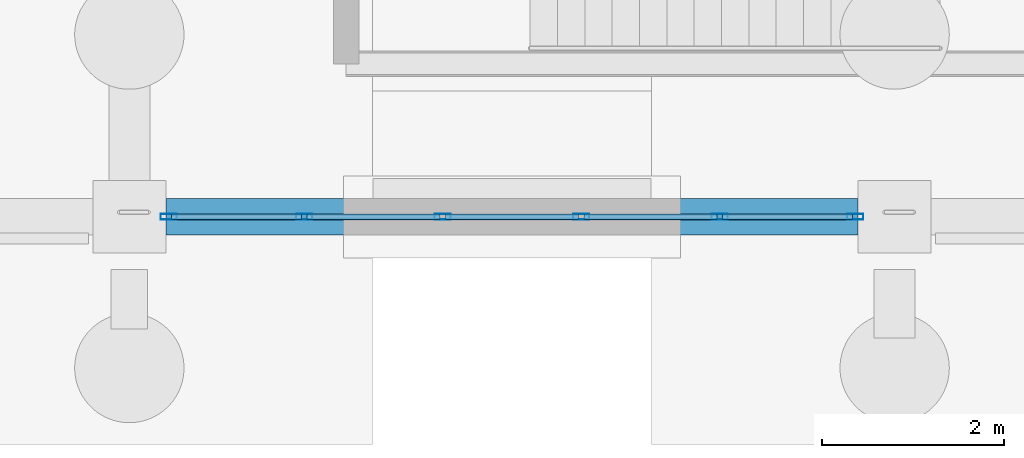
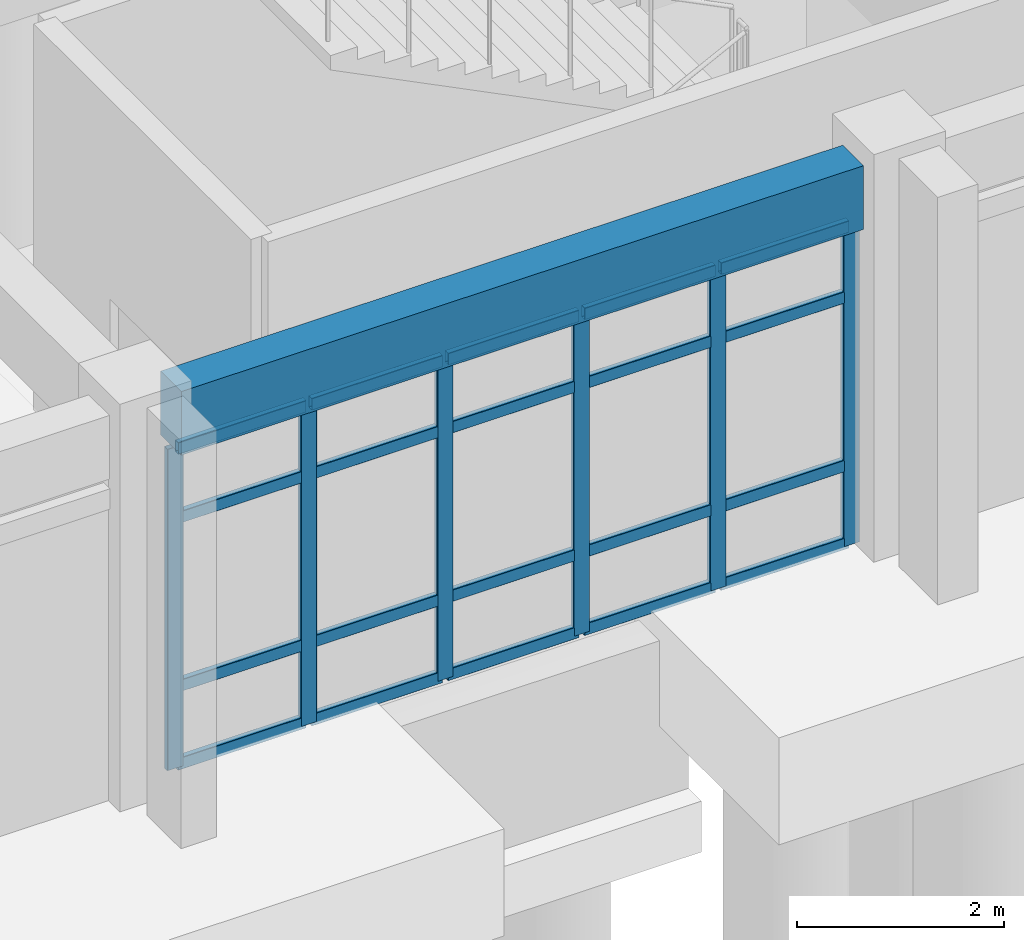
# One storey, part 34 of 111: 26 members, 1 beam, 1 element without a shape of its own.
"""IFC4 building model written with IfcOpenShell, lengths in metres."""

from ifc_helpers import new_model, si_unit, direction, frame, origin, origin_2d, place, context, subcontext, project, spatial, rectangle, hollow_rectangle, extrude, material, material_profile, profile_set, type_object, element, aggregate, save


model = new_model("IFC4")

# Units and contexts
model_context = context("Model", 3, precision=1e-05, world=origin(), true_north=direction((0.0, 1.0)))
body_context = subcontext(model_context, "Body", "Model", "MODEL_VIEW")
ifc_project = project(units=[si_unit("LENGTHUNIT", "METRE"), si_unit("AREAUNIT", "SQUARE_METRE"), si_unit("VOLUMEUNIT", "CUBIC_METRE"), si_unit("PLANEANGLEUNIT", "RADIAN"), si_unit("MASSUNIT", "GRAM", prefix="KILO")], contexts=[model_context])

# Site, building, storey
site_placement = place(None, origin())
site = spatial("IfcSite", under=ifc_project, at=site_placement, CompositionType="ELEMENT")
building_placement = place(site_placement, origin())
building = spatial("IfcBuilding", under=site, at=building_placement, Name="Canglan Escarpment Cableway Terminal", CompositionType="ELEMENT")
storey_placement = place(building_placement, frame((0.0, 0.0, 4.800048828125)))
storey = spatial("IfcBuildingStorey", under=building, at=storey_placement, Name="L01", CompositionType="ELEMENT", Elevation=4.800048828125)

# Curtain wall, members
ifc_material_1 = material(Name="Anodized bronze aluminium and Low-E double glazing", Category="aluminium")
curtain_wall_type = type_object("IfcCurtainWallType", Name="CW-BAY-7600x3775", PredefinedType="NOTDEFINED", material=ifc_material_1)
curtain_wall_placement = place(storey_placement, origin())
curtain_wall = element("IfcCurtainWall", 1, at=curtain_wall_placement, inside=storey, type_object=curtain_wall_type, Name="Classical bay-between-piers glazed curtain wall CW-09", PredefinedType="NOTDEFINED")
ifc_material_2 = material(Name="Thermally broken anodized aluminium 6063-T6", Category="aluminium")
ifc_material_profile_1 = material_profile(ifc_material_2, hollow_rectangle(XDim=0.06494140625, YDim=0.179931640625, WallThickness=0.00390625, InnerFilletRadius=0.00390625, OuterFilletRadius=0.008056640625, at=origin_2d()), Name="ALU-MULL 65x180x4")
ifc_profile_set_1 = profile_set([ifc_material_profile_1], Name="Thermally broken anodized aluminium 6063-T6")
member_type_1 = type_object("IfcMemberType", Name="CWM-03", PredefinedType="MULLION", material=ifc_profile_set_1)
member_1_placement = place(storey_placement, frame((120.33251953125, 8.0, 0.0), z_axis=(0.0, 0.0, 1.0), x_axis=(0.0, 1.0, 0.0)))
member_1 = element("IfcMember", 2, at=member_1_placement, type_object=member_type_1, Name="CW-09 mullion 1", PredefinedType="MULLION", context=body_context, shape_type="SweptSolid", body=[
    extrude(hollow_rectangle(XDim=0.06494140625, YDim=0.179931640625, WallThickness=0.00390625, InnerFilletRadius=0.00390625, OuterFilletRadius=0.008056640625, at=origin_2d()), origin(), (0.0, 0.0, 1.0), 3.784912109375),
])
member_2_placement = place(storey_placement, frame((121.820068359375, 8.0, 0.0), z_axis=(0.0, 0.0, 1.0), x_axis=(0.0, 1.0, 0.0)))
member_2 = element("IfcMember", 3, at=member_2_placement, type_object=member_type_1, Name="CW-09 mullion 2", PredefinedType="MULLION", context=body_context, shape_type="SweptSolid", body=[
    extrude(hollow_rectangle(XDim=0.06494140625, YDim=0.179931640625, WallThickness=0.00390625, InnerFilletRadius=0.00390625, OuterFilletRadius=0.008056640625, at=origin_2d()), origin(), (0.0, 0.0, 1.0), 3.784912109375),
])
member_3_placement = place(storey_placement, frame((123.340087890625, 8.0, 0.0), z_axis=(0.0, 0.0, 1.0), x_axis=(0.0, 1.0, 0.0)))
member_3 = element("IfcMember", 4, at=member_3_placement, type_object=member_type_1, Name="CW-09 mullion 3", PredefinedType="MULLION", context=body_context, shape_type="SweptSolid", body=[
    extrude(hollow_rectangle(XDim=0.06494140625, YDim=0.179931640625, WallThickness=0.00390625, InnerFilletRadius=0.00390625, OuterFilletRadius=0.008056640625, at=origin_2d()), origin(), (0.0, 0.0, 1.0), 3.784912109375),
])
member_4_placement = place(storey_placement, frame((124.860107421875, 8.0, 0.0), z_axis=(0.0, 0.0, 1.0), x_axis=(0.0, 1.0, 0.0)))
member_4 = element("IfcMember", 5, at=member_4_placement, type_object=member_type_1, Name="CW-09 mullion 4", PredefinedType="MULLION", context=body_context, shape_type="SweptSolid", body=[
    extrude(hollow_rectangle(XDim=0.06494140625, YDim=0.179931640625, WallThickness=0.00390625, InnerFilletRadius=0.00390625, OuterFilletRadius=0.008056640625, at=origin_2d()), origin(), (0.0, 0.0, 1.0), 3.784912109375),
])
member_5_placement = place(storey_placement, frame((126.3798828125, 8.0, 0.0), z_axis=(0.0, 0.0, 1.0), x_axis=(0.0, 1.0, 0.0)))
member_5 = element("IfcMember", 6, at=member_5_placement, type_object=member_type_1, Name="CW-09 mullion 5", PredefinedType="MULLION", context=body_context, shape_type="SweptSolid", body=[
    extrude(hollow_rectangle(XDim=0.06494140625, YDim=0.179931640625, WallThickness=0.00390625, InnerFilletRadius=0.00390625, OuterFilletRadius=0.008056640625, at=origin_2d()), origin(), (0.0, 0.0, 1.0), 3.784912109375),
])
member_6_placement = place(storey_placement, frame((127.867431640625, 8.0, 0.0), z_axis=(0.0, 0.0, 1.0), x_axis=(0.0, 1.0, 0.0)))
member_6 = element("IfcMember", 7, at=member_6_placement, type_object=member_type_1, Name="CW-09 mullion 6", PredefinedType="MULLION", context=body_context, shape_type="SweptSolid", body=[
    extrude(hollow_rectangle(XDim=0.06494140625, YDim=0.179931640625, WallThickness=0.00390625, InnerFilletRadius=0.00390625, OuterFilletRadius=0.008056640625, at=origin_2d()), origin(), (0.0, 0.0, 1.0), 3.784912109375),
])
ifc_material_profile_2 = material_profile(ifc_material_2, hollow_rectangle(XDim=0.06494140625, YDim=0.139892578125, WallThickness=0.00341796875, InnerFilletRadius=0.00341796875, OuterFilletRadius=0.007080078125, at=origin_2d()), Name="ALU-TRAN 65x140x3.5")
ifc_profile_set_2 = profile_set([ifc_material_profile_2], Name="Thermally broken anodized aluminium 6063-T6")
member_type_2 = type_object("IfcMemberType", Name="CWT-03", PredefinedType="USERDEFINED", material=ifc_profile_set_2)
member_7_placement = place(storey_placement, frame((120.364990234375, 8.0, 0.032470703125), z_axis=(1.0, 0.0, 0.0), x_axis=(0.0, 1.0, 0.0)))
member_7 = element("IfcMember", 8, at=member_7_placement, type_object=member_type_2, Name="CW-09 transom 1.1", ObjectType="TRANSOM", PredefinedType="USERDEFINED", context=body_context, shape_type="SweptSolid", body=[
    extrude(hollow_rectangle(XDim=0.06494140625, YDim=0.139892578125, WallThickness=0.00341796875, InnerFilletRadius=0.00341796875, OuterFilletRadius=0.007080078125, at=origin_2d()), origin(), (0.0, 0.0, 1.0), 1.422607421875),
])
member_8_placement = place(storey_placement, frame((120.364990234375, 8.0, 0.949951171875), z_axis=(1.0, 0.0, 0.0), x_axis=(0.0, 1.0, 0.0)))
member_8 = element("IfcMember", 9, at=member_8_placement, type_object=member_type_2, Name="CW-09 transom 1.2", ObjectType="TRANSOM", PredefinedType="USERDEFINED", context=body_context, shape_type="SweptSolid", body=[
    extrude(hollow_rectangle(XDim=0.06494140625, YDim=0.139892578125, WallThickness=0.00341796875, InnerFilletRadius=0.00341796875, OuterFilletRadius=0.007080078125, at=origin_2d()), origin(), (0.0, 0.0, 1.0), 1.422607421875),
])
member_9_placement = place(storey_placement, frame((120.364990234375, 8.0, 2.93505859375), z_axis=(1.0, 0.0, 0.0), x_axis=(0.0, 1.0, 0.0)))
member_9 = element("IfcMember", 10, at=member_9_placement, type_object=member_type_2, Name="CW-09 transom 1.3", ObjectType="TRANSOM", PredefinedType="USERDEFINED", context=body_context, shape_type="SweptSolid", body=[
    extrude(hollow_rectangle(XDim=0.06494140625, YDim=0.139892578125, WallThickness=0.00341796875, InnerFilletRadius=0.00341796875, OuterFilletRadius=0.007080078125, at=origin_2d()), origin(), (0.0, 0.0, 1.0), 1.422607421875),
])
member_10_placement = place(storey_placement, frame((120.364990234375, 8.0, 3.75244140625), z_axis=(1.0, 0.0, 0.0), x_axis=(0.0, 1.0, 0.0)))
member_10 = element("IfcMember", 11, at=member_10_placement, type_object=member_type_2, Name="CW-09 transom 1.4", ObjectType="TRANSOM", PredefinedType="USERDEFINED", context=body_context, shape_type="SweptSolid", body=[
    extrude(hollow_rectangle(XDim=0.06494140625, YDim=0.139892578125, WallThickness=0.00341796875, InnerFilletRadius=0.00341796875, OuterFilletRadius=0.007080078125, at=origin_2d()), origin(), (0.0, 0.0, 1.0), 1.422607421875),
])
member_11_placement = place(storey_placement, frame((121.8525390625, 8.0, 0.032470703125), z_axis=(1.0, 0.0, 0.0), x_axis=(0.0, 1.0, 0.0)))
member_11 = element("IfcMember", 12, at=member_11_placement, type_object=member_type_2, Name="CW-09 transom 2.1", ObjectType="TRANSOM", PredefinedType="USERDEFINED", context=body_context, shape_type="SweptSolid", body=[
    extrude(hollow_rectangle(XDim=0.06494140625, YDim=0.139892578125, WallThickness=0.00341796875, InnerFilletRadius=0.00341796875, OuterFilletRadius=0.007080078125, at=origin_2d()), origin(), (0.0, 0.0, 1.0), 1.455078125),
])
member_12_placement = place(storey_placement, frame((121.8525390625, 8.0, 0.949951171875), z_axis=(1.0, 0.0, 0.0), x_axis=(0.0, 1.0, 0.0)))
member_12 = element("IfcMember", 13, at=member_12_placement, type_object=member_type_2, Name="CW-09 transom 2.2", ObjectType="TRANSOM", PredefinedType="USERDEFINED", context=body_context, shape_type="SweptSolid", body=[
    extrude(hollow_rectangle(XDim=0.06494140625, YDim=0.139892578125, WallThickness=0.00341796875, InnerFilletRadius=0.00341796875, OuterFilletRadius=0.007080078125, at=origin_2d()), origin(), (0.0, 0.0, 1.0), 1.455078125),
])
member_13_placement = place(storey_placement, frame((121.8525390625, 8.0, 2.93505859375), z_axis=(1.0, 0.0, 0.0), x_axis=(0.0, 1.0, 0.0)))
member_13 = element("IfcMember", 14, at=member_13_placement, type_object=member_type_2, Name="CW-09 transom 2.3", ObjectType="TRANSOM", PredefinedType="USERDEFINED", context=body_context, shape_type="SweptSolid", body=[
    extrude(hollow_rectangle(XDim=0.06494140625, YDim=0.139892578125, WallThickness=0.00341796875, InnerFilletRadius=0.00341796875, OuterFilletRadius=0.007080078125, at=origin_2d()), origin(), (0.0, 0.0, 1.0), 1.455078125),
])
member_14_placement = place(storey_placement, frame((121.8525390625, 8.0, 3.75244140625), z_axis=(1.0, 0.0, 0.0), x_axis=(0.0, 1.0, 0.0)))
member_14 = element("IfcMember", 15, at=member_14_placement, type_object=member_type_2, Name="CW-09 transom 2.4", ObjectType="TRANSOM", PredefinedType="USERDEFINED", context=body_context, shape_type="SweptSolid", body=[
    extrude(hollow_rectangle(XDim=0.06494140625, YDim=0.139892578125, WallThickness=0.00341796875, InnerFilletRadius=0.00341796875, OuterFilletRadius=0.007080078125, at=origin_2d()), origin(), (0.0, 0.0, 1.0), 1.455078125),
])
member_15_placement = place(storey_placement, frame((123.37255859375, 8.0, 0.032470703125), z_axis=(1.0, 0.0, 0.0), x_axis=(0.0, 1.0, 0.0)))
member_15 = element("IfcMember", 16, at=member_15_placement, type_object=member_type_2, Name="CW-09 transom 3.1", ObjectType="TRANSOM", PredefinedType="USERDEFINED", context=body_context, shape_type="SweptSolid", body=[
    extrude(hollow_rectangle(XDim=0.06494140625, YDim=0.139892578125, WallThickness=0.00341796875, InnerFilletRadius=0.00341796875, OuterFilletRadius=0.007080078125, at=origin_2d()), origin(), (0.0, 0.0, 1.0), 1.454833984375),
])
member_16_placement = place(storey_placement, frame((123.37255859375, 8.0, 0.949951171875), z_axis=(1.0, 0.0, 0.0), x_axis=(0.0, 1.0, 0.0)))
member_16 = element("IfcMember", 17, at=member_16_placement, type_object=member_type_2, Name="CW-09 transom 3.2", ObjectType="TRANSOM", PredefinedType="USERDEFINED", context=body_context, shape_type="SweptSolid", body=[
    extrude(hollow_rectangle(XDim=0.06494140625, YDim=0.139892578125, WallThickness=0.00341796875, InnerFilletRadius=0.00341796875, OuterFilletRadius=0.007080078125, at=origin_2d()), origin(), (0.0, 0.0, 1.0), 1.454833984375),
])
member_17_placement = place(storey_placement, frame((123.37255859375, 8.0, 2.93505859375), z_axis=(1.0, 0.0, 0.0), x_axis=(0.0, 1.0, 0.0)))
member_17 = element("IfcMember", 18, at=member_17_placement, type_object=member_type_2, Name="CW-09 transom 3.3", ObjectType="TRANSOM", PredefinedType="USERDEFINED", context=body_context, shape_type="SweptSolid", body=[
    extrude(hollow_rectangle(XDim=0.06494140625, YDim=0.139892578125, WallThickness=0.00341796875, InnerFilletRadius=0.00341796875, OuterFilletRadius=0.007080078125, at=origin_2d()), origin(), (0.0, 0.0, 1.0), 1.454833984375),
])
member_18_placement = place(storey_placement, frame((123.37255859375, 8.0, 3.75244140625), z_axis=(1.0, 0.0, 0.0), x_axis=(0.0, 1.0, 0.0)))
member_18 = element("IfcMember", 19, at=member_18_placement, type_object=member_type_2, Name="CW-09 transom 3.4", ObjectType="TRANSOM", PredefinedType="USERDEFINED", context=body_context, shape_type="SweptSolid", body=[
    extrude(hollow_rectangle(XDim=0.06494140625, YDim=0.139892578125, WallThickness=0.00341796875, InnerFilletRadius=0.00341796875, OuterFilletRadius=0.007080078125, at=origin_2d()), origin(), (0.0, 0.0, 1.0), 1.454833984375),
])
member_19_placement = place(storey_placement, frame((124.892578125, 8.0, 0.032470703125), z_axis=(1.0, 0.0, 0.0), x_axis=(0.0, 1.0, 0.0)))
member_19 = element("IfcMember", 20, at=member_19_placement, type_object=member_type_2, Name="CW-09 transom 4.1", ObjectType="TRANSOM", PredefinedType="USERDEFINED", context=body_context, shape_type="SweptSolid", body=[
    extrude(hollow_rectangle(XDim=0.06494140625, YDim=0.139892578125, WallThickness=0.00341796875, InnerFilletRadius=0.00341796875, OuterFilletRadius=0.007080078125, at=origin_2d()), origin(), (0.0, 0.0, 1.0), 1.454833984375),
])
member_20_placement = place(storey_placement, frame((124.892578125, 8.0, 0.949951171875), z_axis=(1.0, 0.0, 0.0), x_axis=(0.0, 1.0, 0.0)))
member_20 = element("IfcMember", 21, at=member_20_placement, type_object=member_type_2, Name="CW-09 transom 4.2", ObjectType="TRANSOM", PredefinedType="USERDEFINED", context=body_context, shape_type="SweptSolid", body=[
    extrude(hollow_rectangle(XDim=0.06494140625, YDim=0.139892578125, WallThickness=0.00341796875, InnerFilletRadius=0.00341796875, OuterFilletRadius=0.007080078125, at=origin_2d()), origin(), (0.0, 0.0, 1.0), 1.454833984375),
])
member_21_placement = place(storey_placement, frame((124.892578125, 8.0, 2.93505859375), z_axis=(1.0, 0.0, 0.0), x_axis=(0.0, 1.0, 0.0)))
member_21 = element("IfcMember", 22, at=member_21_placement, type_object=member_type_2, Name="CW-09 transom 4.3", ObjectType="TRANSOM", PredefinedType="USERDEFINED", context=body_context, shape_type="SweptSolid", body=[
    extrude(hollow_rectangle(XDim=0.06494140625, YDim=0.139892578125, WallThickness=0.00341796875, InnerFilletRadius=0.00341796875, OuterFilletRadius=0.007080078125, at=origin_2d()), origin(), (0.0, 0.0, 1.0), 1.454833984375),
])
member_22_placement = place(storey_placement, frame((124.892578125, 8.0, 3.75244140625), z_axis=(1.0, 0.0, 0.0), x_axis=(0.0, 1.0, 0.0)))
member_22 = element("IfcMember", 23, at=member_22_placement, type_object=member_type_2, Name="CW-09 transom 4.4", ObjectType="TRANSOM", PredefinedType="USERDEFINED", context=body_context, shape_type="SweptSolid", body=[
    extrude(hollow_rectangle(XDim=0.06494140625, YDim=0.139892578125, WallThickness=0.00341796875, InnerFilletRadius=0.00341796875, OuterFilletRadius=0.007080078125, at=origin_2d()), origin(), (0.0, 0.0, 1.0), 1.454833984375),
])
member_23_placement = place(storey_placement, frame((126.41259765625, 8.0, 0.032470703125), z_axis=(1.0, 0.0, 0.0), x_axis=(0.0, 1.0, 0.0)))
member_23 = element("IfcMember", 24, at=member_23_placement, type_object=member_type_2, Name="CW-09 transom 5.1", ObjectType="TRANSOM", PredefinedType="USERDEFINED", context=body_context, shape_type="SweptSolid", body=[
    extrude(hollow_rectangle(XDim=0.06494140625, YDim=0.139892578125, WallThickness=0.00341796875, InnerFilletRadius=0.00341796875, OuterFilletRadius=0.007080078125, at=origin_2d()), origin(), (0.0, 0.0, 1.0), 1.42236328125),
])
member_24_placement = place(storey_placement, frame((126.41259765625, 8.0, 0.949951171875), z_axis=(1.0, 0.0, 0.0), x_axis=(0.0, 1.0, 0.0)))
member_24 = element("IfcMember", 25, at=member_24_placement, type_object=member_type_2, Name="CW-09 transom 5.2", ObjectType="TRANSOM", PredefinedType="USERDEFINED", context=body_context, shape_type="SweptSolid", body=[
    extrude(hollow_rectangle(XDim=0.06494140625, YDim=0.139892578125, WallThickness=0.00341796875, InnerFilletRadius=0.00341796875, OuterFilletRadius=0.007080078125, at=origin_2d()), origin(), (0.0, 0.0, 1.0), 1.42236328125),
])
member_25_placement = place(storey_placement, frame((126.41259765625, 8.0, 2.93505859375), z_axis=(1.0, 0.0, 0.0), x_axis=(0.0, 1.0, 0.0)))
member_25 = element("IfcMember", 26, at=member_25_placement, type_object=member_type_2, Name="CW-09 transom 5.3", ObjectType="TRANSOM", PredefinedType="USERDEFINED", context=body_context, shape_type="SweptSolid", body=[
    extrude(hollow_rectangle(XDim=0.06494140625, YDim=0.139892578125, WallThickness=0.00341796875, InnerFilletRadius=0.00341796875, OuterFilletRadius=0.007080078125, at=origin_2d()), origin(), (0.0, 0.0, 1.0), 1.42236328125),
])
member_26_placement = place(storey_placement, frame((126.41259765625, 8.0, 3.75244140625), z_axis=(1.0, 0.0, 0.0), x_axis=(0.0, 1.0, 0.0)))
member_26 = element("IfcMember", 27, at=member_26_placement, type_object=member_type_2, Name="CW-09 transom 5.4", ObjectType="TRANSOM", PredefinedType="USERDEFINED", context=body_context, shape_type="SweptSolid", body=[
    extrude(hollow_rectangle(XDim=0.06494140625, YDim=0.139892578125, WallThickness=0.00341796875, InnerFilletRadius=0.00341796875, OuterFilletRadius=0.007080078125, at=origin_2d()), origin(), (0.0, 0.0, 1.0), 1.42236328125),
])
aggregate(curtain_wall, [member_1, member_2, member_3, member_4, member_5, member_6, member_7, member_8, member_9, member_10, member_11, member_12, member_13, member_14, member_15, member_16, member_17, member_18, member_19, member_20, member_21, member_22, member_23, member_24, member_25, member_26])

# Beam
ifc_material_3 = material(Name="Concrete C40", Category="concrete")
ifc_material_profile_3 = material_profile(ifc_material_3, rectangle(XDim=0.39990234375, YDim=0.75, at=origin_2d()), Name="RC 400x750")
ifc_profile_set_3 = profile_set([ifc_material_profile_3], Name="Concrete C40")
beam_type = type_object("IfcBeamType", Name="SP-RC400x750", PredefinedType="SPANDREL", material=ifc_profile_set_3)
beam_placement = place(storey_placement, frame((120.300048828125, 8.0, 4.175048828125), z_axis=(1.0, 0.0, 0.0), x_axis=(0.0, 1.0, 0.0)))
element("IfcBeam", 28, at=beam_placement, inside=storey, type_object=beam_type, Name="Primary structural girder SP-01", PredefinedType="SPANDREL", context=body_context, shape_type="SweptSolid", body=[
    extrude(rectangle(XDim=0.39990234375, YDim=0.75, at=origin_2d()), origin(), (0.0, 0.0, 1.0), 7.599853515625),
])

save(model, "model.ifc")
